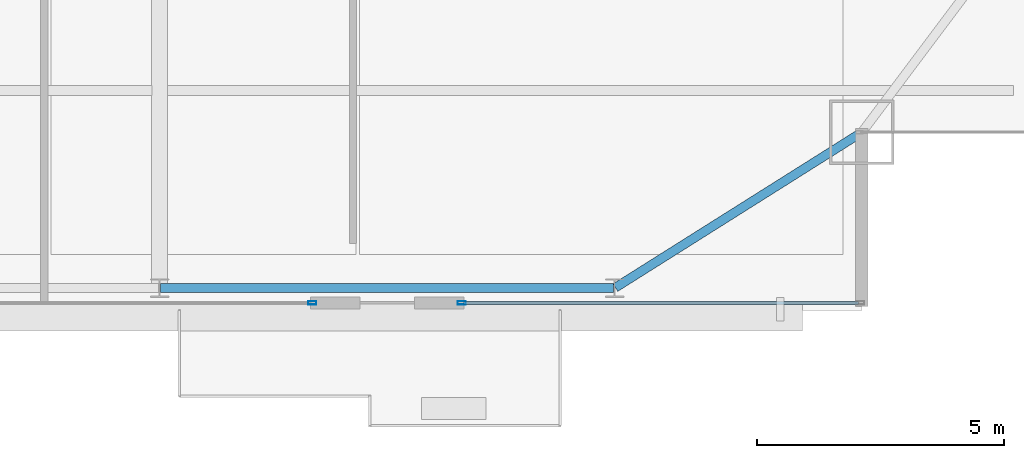
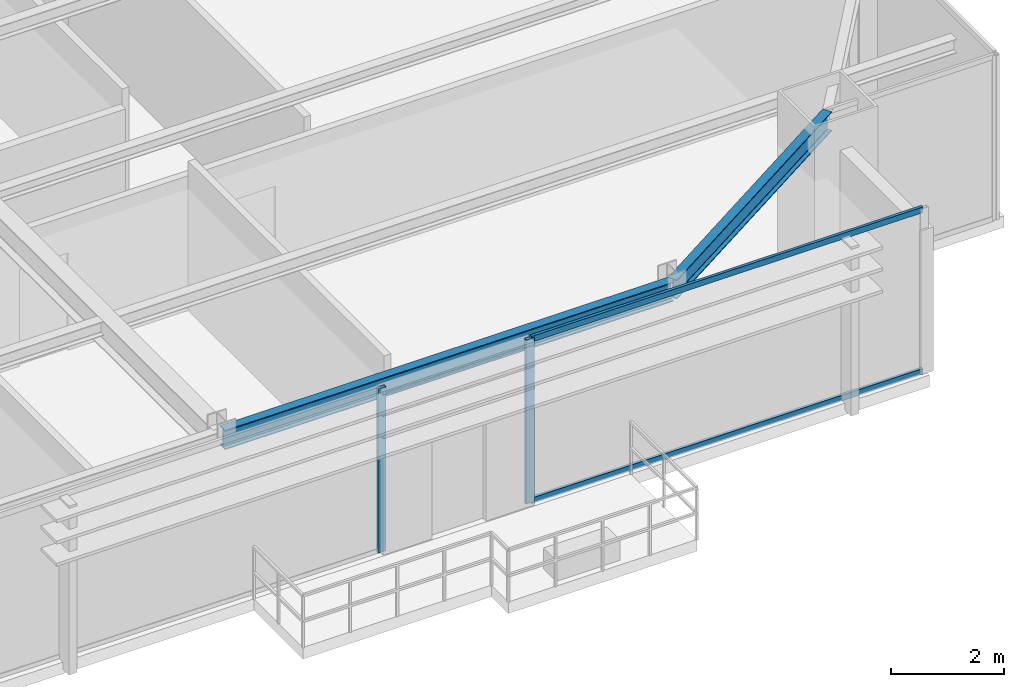
# One storey, part 13 of 30: 4 members, 2 beams, 2 elements without a shape of their own.
"""IFC4 building model written with IfcOpenShell, lengths in metres."""

from ifc_helpers import new_model, si_unit, direction, frame, origin, origin_2d, place, context, subcontext, project, spatial, hollow_rectangle, i_section, extrude, source, transform, mapped, material, layer, layer_set, material_profile, profile_set, type_object, type_shapes, element, aggregate, save


model = new_model("IFC4")

# Units and contexts
model_context = context("Model", 3, precision=1e-05, world=origin(), true_north=direction((0.0, 1.0)))
body_context = subcontext(model_context, "Body", "Model", "MODEL_VIEW")
ifc_project = project(units=[si_unit("LENGTHUNIT", "METRE"), si_unit("AREAUNIT", "SQUARE_METRE"), si_unit("VOLUMEUNIT", "CUBIC_METRE"), si_unit("PLANEANGLEUNIT", "RADIAN"), si_unit("MASSUNIT", "GRAM", prefix="KILO")], contexts=[model_context])

# Site, building, storey
site_placement = place(None, origin())
site = spatial("IfcSite", under=ifc_project, at=site_placement, CompositionType="ELEMENT")
building_placement = place(site_placement, origin())
building = spatial("IfcBuilding", under=site, at=building_placement, Name="Varnel Quay Broadcast Tower", CompositionType="ELEMENT")
storey_placement = place(building_placement, frame((0.0, 0.0, 168.60009765625)))
storey = spatial("IfcBuildingStorey", under=building, at=storey_placement, Name="L41", CompositionType="ELEMENT", Elevation=168.60009765625)

# Beams
ifc_material_1 = material(Name="Structural Steel CSA G40.21 350W", Category="steel")
ifc_material_profile_1 = material_profile(ifc_material_1, i_section(OverallWidth=0.180908203125, OverallDepth=0.4169921875, WebThickness=0.010986328125, FlangeThickness=0.018310546875, FilletRadius=0.011962890625, at=origin_2d()), Name="W410X85")
ifc_profile_set_1 = profile_set([ifc_material_profile_1], Name="Structural Steel CSA G40.21 350W")
beam_type = type_object("IfcBeamType", Name="Beam_W410X85", PredefinedType="SPANDREL", material=ifc_profile_set_1)
shared_shape_1 = source(origin(), body_context, "Body", "SweptSolid", [
    extrude(i_section(OverallWidth=0.180908203125, OverallDepth=0.4169921875, WebThickness=0.010986328125, FlangeThickness=0.018310546875, FilletRadius=0.011962890625, at=origin_2d()), origin(), (0.0, 0.0, 1.0), 9.159912109375),
])
beam_1_placement = place(storey_placement, frame((43.219970703125, 7.64990234375, 3.34130859375), z_axis=(1.0, 0.0, 0.0), x_axis=(0.0, 1.0, 0.0)))
element("IfcBeam", 1, at=beam_1_placement, inside=storey, type_object=beam_type, Name="L41 South Spandrel TC-S4-TC-S5", PredefinedType="SPANDREL", context=body_context, shape_type="MappedRepresentation", body=[
    mapped(shared_shape_1, transform((0.0, 0.0, 0.0), x_axis=(1.0, 0.0, 0.0), y_axis=(0.0, 1.0, 0.0), z_axis=(0.0, 0.0, 1.0), scale=1.0)),
])
shared_shape_2 = source(origin(), body_context, "Body", "SweptSolid", [
    extrude(i_section(OverallWidth=0.180908203125, OverallDepth=0.4169921875, WebThickness=0.010986328125, FlangeThickness=0.018310546875, FilletRadius=0.011962890625, at=origin_2d()), origin(), (0.0, 0.0, 1.0), 5.869384765625),
])
type_shapes(beam_type, [shared_shape_1, shared_shape_2])
beam_2_placement = place(storey_placement, frame((52.4169921875, 7.66064453125, 3.34130859375), z_axis=(0.846088328928, 0.533042718412, 0.0), x_axis=(-0.533042718412, 0.846088328928, 0.0)))
element("IfcBeam", 2, at=beam_2_placement, inside=storey, type_object=beam_type, Name="L41 South Spandrel TC-S5-MC-SE", PredefinedType="SPANDREL", context=body_context, shape_type="MappedRepresentation", body=[
    mapped(shared_shape_2, transform((0.0, 0.0, 0.0), x_axis=(1.0, 0.0, 0.0), y_axis=(0.0, 1.0, 0.0), z_axis=(0.0, 0.0, 1.0), scale=1.0)),
])

# Curtain wall, member
ifc_material_2 = material(Name="Anodised Bronze Aluminium 6063-T6", Category="aluminium")
ifc_layer = layer(ifc_material_2, 0.18994140625, Name="Anodised Bronze Aluminium 6063-T6")
ifc_layer_set = layer_set([ifc_layer], Name="Anodised Bronze Aluminium 6063-T6")
curtain_wall_type = type_object("IfcCurtainWallType", Name="CW_UpperTower", PredefinedType="NOTDEFINED", material=ifc_layer_set)
curtain_wall_1_placement = place(storey_placement, origin())
curtain_wall_1 = element("IfcCurtainWall", 3, at=curtain_wall_1_placement, inside=storey, type_object=curtain_wall_type, Name="L41 South Unitised Curtain Wall 2", PredefinedType="NOTDEFINED")
ifc_material_profile_2 = material_profile(ifc_material_2, hollow_rectangle(XDim=0.06494140625, YDim=0.1650390625, WallThickness=0.00341796875, at=origin_2d()), Name="ALU65X165X3.5")
ifc_profile_set_2 = profile_set([ifc_material_profile_2], Name="Anodised Bronze Aluminium 6063-T6")
member_type_1 = type_object("IfcMemberType", Name="Mull_CWS-03", PredefinedType="MULLION", material=ifc_profile_set_2)
shared_shape_3 = source(origin(), body_context, "Body", "SweptSolid", [
    extrude(hollow_rectangle(XDim=0.06494140625, YDim=0.1650390625, WallThickness=0.00341796875, at=origin_2d()), origin(), (0.0, 0.0, 1.0), 3.5498046875),
])
type_shapes(member_type_1, [shared_shape_3])
member_1_placement = place(storey_placement, frame((46.28759765625, 7.35009765625, 0.0), z_axis=(0.0, 0.0, 1.0), x_axis=(0.0, 1.0, 0.0)))
member_1 = element("IfcMember", 4, at=member_1_placement, type_object=member_type_1, Name="CWS-03 mullion 3", PredefinedType="MULLION", context=body_context, shape_type="MappedRepresentation", body=[
    mapped(shared_shape_3, transform((0.0, 0.0, 0.0), x_axis=(1.0, 0.0, 0.0), y_axis=(0.0, 1.0, 0.0), z_axis=(0.0, 0.0, 1.0), scale=1.0)),
])
aggregate(curtain_wall_1, [member_1])

# Curtain wall, members
curtain_wall_2_placement = place(storey_placement, origin())
curtain_wall_2 = element("IfcCurtainWall", 5, at=curtain_wall_2_placement, inside=storey, type_object=curtain_wall_type, Name="L41 South Unitised Curtain Wall 3", PredefinedType="NOTDEFINED")
member_2_placement = place(storey_placement, frame((49.3125, 7.35009765625, 0.0), z_axis=(0.0, 0.0, 1.0), x_axis=(0.0, 1.0, 0.0)))
member_2 = element("IfcMember", 6, at=member_2_placement, type_object=member_type_1, Name="CWS-03 mullion 1", PredefinedType="MULLION", context=body_context, shape_type="MappedRepresentation", body=[
    mapped(shared_shape_3, transform((0.0, 0.0, 0.0), x_axis=(1.0, 0.0, 0.0), y_axis=(0.0, 1.0, 0.0), z_axis=(0.0, 0.0, 1.0), scale=1.0)),
])
ifc_material_profile_3 = material_profile(ifc_material_2, hollow_rectangle(XDim=0.06005859375, YDim=0.125, WallThickness=0.0029296875, at=origin_2d()), Name="ALU60X125X3")
ifc_profile_set_3 = profile_set([ifc_material_profile_3], Name="Anodised Bronze Aluminium 6063-T6")
member_type_2 = type_object("IfcMemberType", Name="Tran_CWS-03", PredefinedType="USERDEFINED", material=ifc_profile_set_3)
shared_shape_4 = source(origin(), body_context, "Body", "SweptSolid", [
    extrude(hollow_rectangle(XDim=0.06005859375, YDim=0.125, WallThickness=0.0029296875, at=origin_2d()), origin(), (0.0, 0.0, 1.0), 7.989990234375),
])
type_shapes(member_type_2, [shared_shape_4])
member_3_placement = place(storey_placement, frame((49.344970703125, 7.35009765625, 0.02978515625), z_axis=(1.0, 0.0, 0.0), x_axis=(0.0, 1.0, 0.0)))
member_3 = element("IfcMember", 7, at=member_3_placement, type_object=member_type_2, Name="CWS-03 transom 1.1", ObjectType="TRANSOM", PredefinedType="USERDEFINED", context=body_context, shape_type="MappedRepresentation", body=[
    mapped(shared_shape_4, transform((0.0, 0.0, 0.0), x_axis=(1.0, 0.0, 0.0), y_axis=(0.0, 1.0, 0.0), z_axis=(0.0, 0.0, 1.0), scale=1.0)),
])
member_4_placement = place(storey_placement, frame((49.344970703125, 7.35009765625, 3.52001953125), z_axis=(1.0, 0.0, 0.0), x_axis=(0.0, 1.0, 0.0)))
member_4 = element("IfcMember", 8, at=member_4_placement, type_object=member_type_2, Name="CWS-03 transom 1.2", ObjectType="TRANSOM", PredefinedType="USERDEFINED", context=body_context, shape_type="MappedRepresentation", body=[
    mapped(shared_shape_4, transform((0.0, 0.0, 0.0), x_axis=(1.0, 0.0, 0.0), y_axis=(0.0, 1.0, 0.0), z_axis=(0.0, 0.0, 1.0), scale=1.0)),
])
aggregate(curtain_wall_2, [member_2, member_3, member_4])

save(model, "model.ifc")
